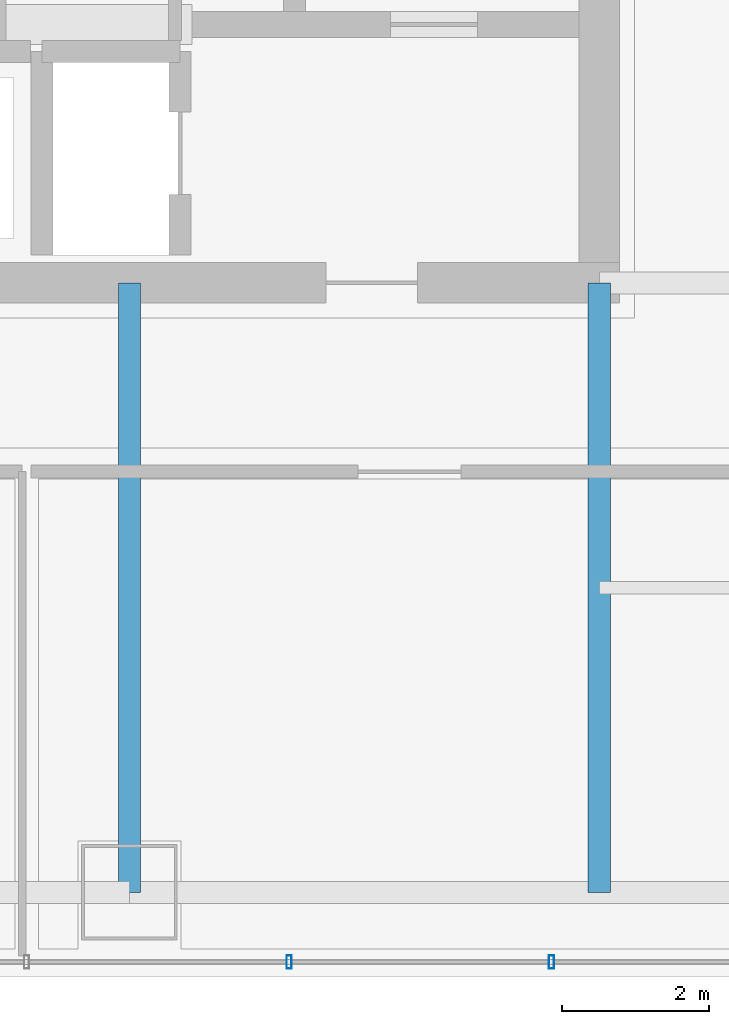
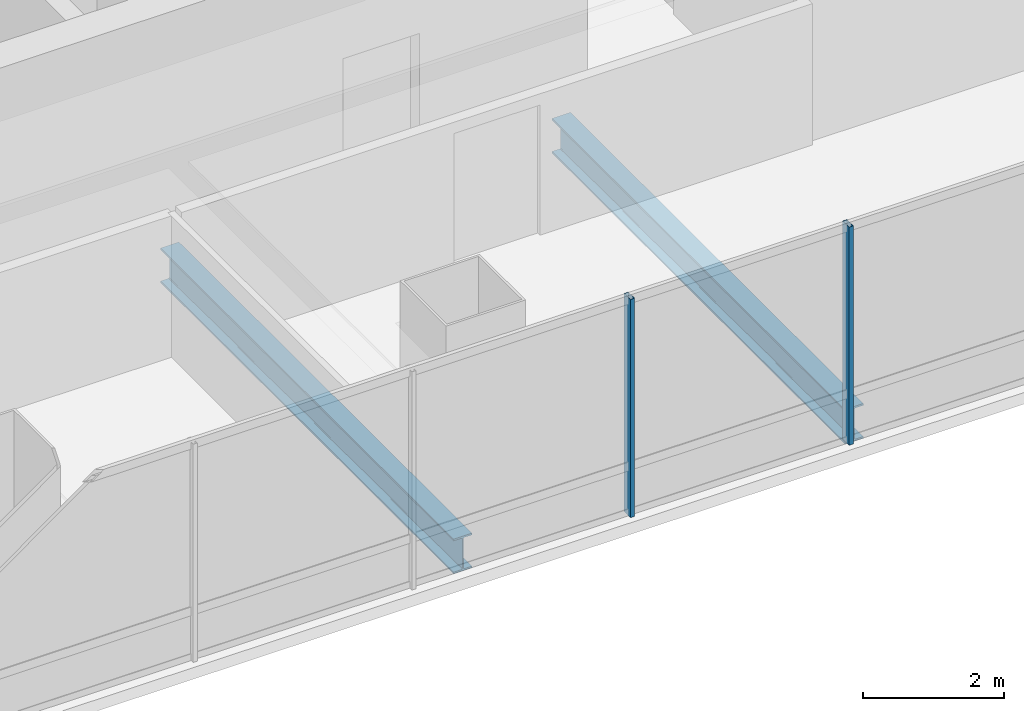
# One storey, part 7 of 51: 2 beams, 2 members, 1 element without a shape of its own.
"""IFC4 building model written with IfcOpenShell, lengths in metres."""

from ifc_helpers import new_model, si_unit, direction, frame, origin, origin_2d, place, context, subcontext, project, spatial, hollow_rectangle, i_section, extrude, material, material_profile, profile_set, type_object, element, aggregate, save


model = new_model("IFC4")

# Units and contexts
model_context = context("Model", 3, precision=1e-05, world=origin(), true_north=direction((0.0, 1.0)))
body_context = subcontext(model_context, "Body", "Model", "MODEL_VIEW")
ifc_project = project(units=[si_unit("LENGTHUNIT", "METRE"), si_unit("AREAUNIT", "SQUARE_METRE"), si_unit("VOLUMEUNIT", "CUBIC_METRE"), si_unit("PLANEANGLEUNIT", "RADIAN"), si_unit("MASSUNIT", "GRAM", prefix="KILO")], contexts=[model_context])

# Site, building, storey
site_placement = place(None, origin())
site = spatial("IfcSite", under=ifc_project, at=site_placement, CompositionType="ELEMENT")
building_placement = place(site_placement, origin())
building = spatial("IfcBuilding", under=site, at=building_placement, Name="Punatoya Terracotta Tower", CompositionType="ELEMENT")
storey_placement = place(building_placement, frame((0.0, 0.0, 279.75)))
storey = spatial("IfcBuildingStorey", under=building, at=storey_placement, Name="L66", CompositionType="ELEMENT", Elevation=279.75)

# Beams
ifc_material_1 = material(Name="Steel S355", Category="steel")
ifc_material_profile_1 = material_profile(ifc_material_1, i_section(OverallWidth=0.300048828125, OverallDepth=0.60009765625, WebThickness=0.015380859375, FlangeThickness=0.030029296875, FilletRadius=0.01806640625, at=origin_2d()))
ifc_profile_set_1 = profile_set([ifc_material_profile_1], Name="Steel S355")
beam_type = type_object("IfcBeamType", Name="BM-PRI-600", PredefinedType="BEAM", material=ifc_profile_set_1)
for number, where, z_axis, x_axis, name in (
    (1, (3.800048828125, -17.5, -0.5), (0.0, 1.0, 0.0), (-1.0, 0.0, 0.0), "BM-L66-PR-S3"),
    (2, (10.199951171875, -17.5, -0.5), (0.0, 1.0, 0.0), (-1.0, 0.0, 0.0), "BM-L66-PR-S4"),
):
    element("IfcBeam", number, at=place(storey_placement, frame(where, z_axis=z_axis, x_axis=x_axis)), inside=storey, type_object=beam_type, Name=name, PredefinedType="BEAM", context=body_context, shape_type="SweptSolid", body=[
        extrude(i_section(OverallWidth=0.300048828125, OverallDepth=0.60009765625, WebThickness=0.015380859375, FlangeThickness=0.030029296875, FilletRadius=0.01806640625, at=origin_2d()), origin(), (0.0, 0.0, 1.0), 8.300048828125),
    ])

# Curtain wall, members
ifc_material_2 = material(Name="Aluminium 6063-T6 + Double Low-E Glass", Category="aluminium")
curtain_wall_type = type_object("IfcCurtainWallType", Name="CW-M3", PredefinedType="NOTDEFINED", material=ifc_material_2)
curtain_wall_placement = place(storey_placement, origin())
curtain_wall = element("IfcCurtainWall", 3, at=curtain_wall_placement, inside=storey, type_object=curtain_wall_type, Name="L66 Curtain Wall CW-L66-S01-1", PredefinedType="NOTDEFINED")
ifc_material_3 = material(Name="Aluminium 6063-T6", Category="aluminium")
ifc_material_profile_2 = material_profile(ifc_material_3, hollow_rectangle(XDim=0.070068359375, YDim=0.179931640625, WallThickness=0.00390625, at=origin_2d()))
ifc_profile_set_2 = profile_set([ifc_material_profile_2], Name="Aluminium 6063-T6")
member_type = type_object("IfcMemberType", Name="CW-MUL-M3", PredefinedType="MULLION", material=ifc_profile_set_2)
member_1_placement = place(storey_placement, frame((5.97509765625, -18.449951171875, 0.0), z_axis=(0.0, 0.0, 1.0), x_axis=(1.0, 0.0, 0.0)))
member_1 = element("IfcMember", 4, at=member_1_placement, type_object=member_type, Name="CW-L66-S01-1 Mullion 05", PredefinedType="MULLION", context=body_context, shape_type="SweptSolid", body=[
    extrude(hollow_rectangle(XDim=0.070068359375, YDim=0.179931640625, WallThickness=0.00390625, at=origin_2d()), origin(), (0.0, 0.0, 1.0), 3.77001953125),
])
member_2_placement = place(storey_placement, frame((9.550048828125, -18.449951171875, 0.0), z_axis=(0.0, 0.0, 1.0), x_axis=(1.0, 0.0, 0.0)))
member_2 = element("IfcMember", 5, at=member_2_placement, type_object=member_type, Name="CW-L66-S01-1 Mullion 06", PredefinedType="MULLION", context=body_context, shape_type="SweptSolid", body=[
    extrude(hollow_rectangle(XDim=0.070068359375, YDim=0.179931640625, WallThickness=0.00390625, at=origin_2d()), origin(), (0.0, 0.0, 1.0), 3.77001953125),
])
aggregate(curtain_wall, [member_1, member_2])

save(model, "model.ifc")
